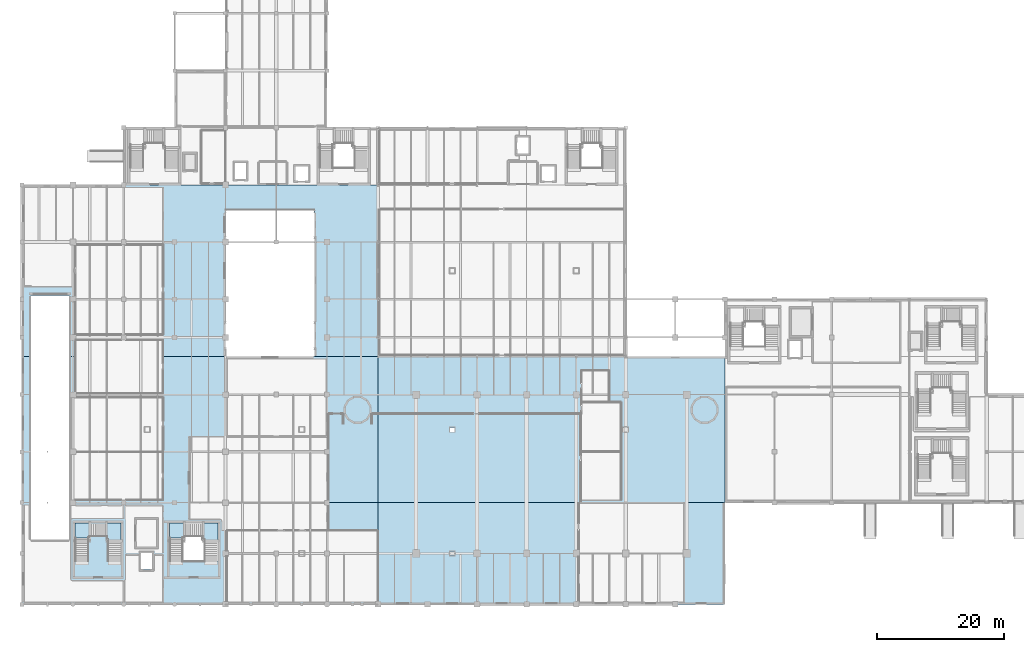
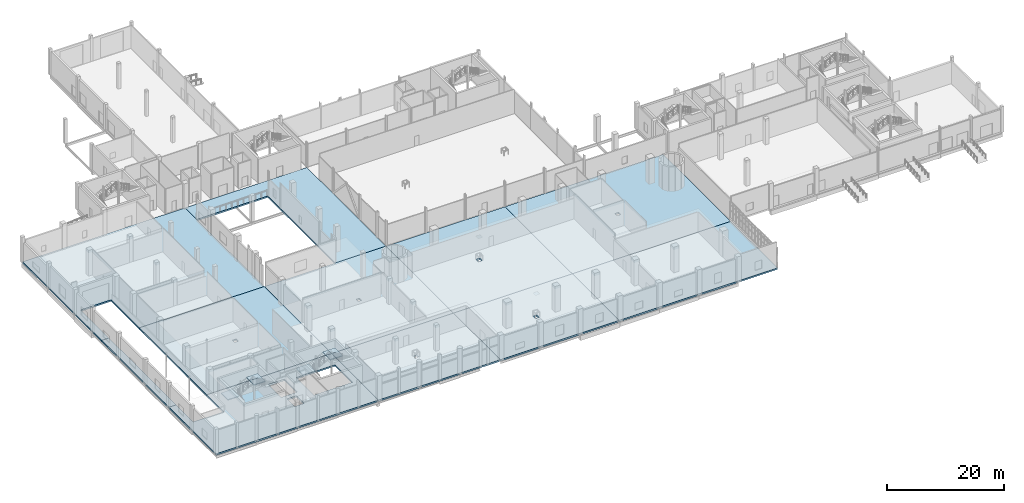
# One storey, part 30 of 57: 15 slabs, 2 elements without a shape of their own.
"""IFC4 building model written with IfcOpenShell, lengths in metres."""

import ifcopenshell
import ifcopenshell.guid

model = None  # the IFC model being written
_history = None  # IfcOwnerHistory: only IFC2X3 demands one
_inside = {}  # id of a spatial element -> (the spatial element, [elements in it])
_under = {}  # id of a project, library or spatial element -> (it, [spatial elements below it])
_declared = {}  # id of a project -> (the project, [libraries it declares])
_typed = {}  # id of a type object -> (the type object, [elements of that type])
_made_of = {}  # id of a material, layer set ... -> (it, [elements and type objects made of it])


def new_model(schema):
    """Start an empty IFC model of exactly this schema.

    Asked for "IFC4X3", IfcOpenShell would pick the latest addendum, in which some entities
    have other attributes; the version numbers below select the first issue.
    IFC2X3 requires an IfcOwnerHistory on every rooted entity: one is made here for all.
    """
    global model, _history
    if schema == "IFC4X3":
        model = ifcopenshell.file(schema_version=(4, 3, 0, 0))
    else:
        model = ifcopenshell.file(schema=schema)
    _inside.clear()
    _under.clear()
    _declared.clear()
    _typed.clear()
    _made_of.clear()
    _history = None
    if model.schema == "IFC2X3":
        org = make("IfcOrganization", Name="unknown")
        user = make(
            "IfcPersonAndOrganization",
            ThePerson=make("IfcPerson", FamilyName="unknown"),
            TheOrganization=org,
        )
        app = make(
            "IfcApplication",
            ApplicationDeveloper=org,
            Version="unknown",
            ApplicationFullName="unknown",
            ApplicationIdentifier="unknown",
        )
        _history = make(
            "IfcOwnerHistory",
            OwningUser=user,
            OwningApplication=app,
            ChangeAction="ADDED",
            CreationDate=0,
        )
    return model


def make(cls, **values):
    """One entity of the class cls with the attributes given. An attribute that is None is left unset."""
    return model.create_entity(
        cls, **{name: value for name, value in values.items() if value is not None}
    )


def rooted(cls, **values):
    """An entity with a GlobalId (a new one), such as an element, a storey or a relation."""
    return make(cls, GlobalId=ifcopenshell.guid.new(), OwnerHistory=_history, **values)


def si_unit(unit_type, name, prefix=None):
    """IfcSIUnit, for example si_unit("LENGTHUNIT", "METRE", prefix="MILLI")."""
    return make("IfcSIUnit", UnitType=unit_type, Prefix=prefix, Name=name)


def derived_unit(unit_type, elements):
    """IfcDerivedUnit: a product of units, each with its exponent."""
    return make(
        "IfcDerivedUnit",
        Elements=[
            make("IfcDerivedUnitElement", Unit=unit, Exponent=power)
            for unit, power in elements
        ],
        UnitType=unit_type,
    )


def assignment(units):
    """IfcUnitAssignment: the units of a project."""
    return None if units is None else make("IfcUnitAssignment", Units=units)


def point(xyz):
    """IfcCartesianPoint."""
    return None if xyz is None else make("IfcCartesianPoint", Coordinates=xyz)


def direction(xyz):
    """IfcDirection."""
    return None if xyz is None else make("IfcDirection", DirectionRatios=xyz)


def frame(location, z_axis=None, x_axis=None):
    """IfcAxis2Placement3D, a coordinate frame: its origin and axes. An axis left out is left unset."""
    return make(
        "IfcAxis2Placement3D",
        Location=point(location),
        Axis=direction(z_axis),
        RefDirection=direction(x_axis),
    )


def origin():
    """The frame at (0, 0, 0) with its axes left unset."""
    return frame((0.0, 0.0, 0.0))


def place(relative_to, where):
    """IfcLocalPlacement: puts the frame where relative to a parent placement (None: the world)."""
    return make(
        "IfcLocalPlacement", PlacementRelTo=relative_to, RelativePlacement=where
    )


def context(
    kind, dimensions, precision=None, world=None, true_north=None, identifier=None
):
    """IfcGeometricRepresentationContext, for example the 3D "Model" context."""
    return make(
        "IfcGeometricRepresentationContext",
        ContextIdentifier=identifier,
        ContextType=kind,
        CoordinateSpaceDimension=dimensions,
        Precision=precision,
        WorldCoordinateSystem=world,
        TrueNorth=true_north,
    )


def subcontext(parent, identifier, kind, view, scale=None):
    """IfcGeometricRepresentationSubContext, for example "Body" below "Model"."""
    return make(
        "IfcGeometricRepresentationSubContext",
        ContextIdentifier=identifier,
        ContextType=kind,
        ParentContext=parent,
        TargetScale=scale,
        TargetView=view,
    )


def project(units=None, contexts=None):
    """IfcProject with its units and contexts."""
    return rooted(
        "IfcProject",
        Name="project",
        RepresentationContexts=contexts,
        UnitsInContext=assignment(units),
    )


def spatial(cls, under=None, at=None, **own):
    """A site, building, storey or space (cls), placed at a placement, below another one or the project."""
    s = rooted(cls, ObjectPlacement=at, **own)
    if under is not None:
        _under.setdefault(under.id(), (under, []))[1].append(s)
    return s


def polyline(points):
    """IfcPolyline through the points."""
    return make("IfcPolyline", Points=[point(p) for p in points])


def outline(outer, holes=None, kind="AREA"):
    """IfcArbitraryClosedProfileDef: a profile drawn as a closed curve; with holes, ...WithVoids."""
    if holes is None:
        return make("IfcArbitraryClosedProfileDef", ProfileType=kind, OuterCurve=outer)
    return make(
        "IfcArbitraryProfileDefWithVoids",
        ProfileType=kind,
        OuterCurve=outer,
        InnerCurves=holes,
    )


def extrude(swept, where, along, depth):
    """IfcExtrudedAreaSolid: the profile swept, set in the frame where, extruded along a direction by depth."""
    return make(
        "IfcExtrudedAreaSolid",
        SweptArea=swept,
        Position=where,
        ExtrudedDirection=direction(along),
        Depth=depth,
    )


def shape(context_of_items, identifier, shape_type, items):
    """IfcShapeRepresentation: the items that make up one representation, for example the "Body"."""
    return make(
        "IfcShapeRepresentation",
        ContextOfItems=context_of_items,
        RepresentationIdentifier=identifier,
        RepresentationType=shape_type,
        Items=items,
    )


def material(Name=None, Category=None):
    """IfcMaterial."""
    return make("IfcMaterial", Name=Name, Category=Category)


def layer(
    of_material, thickness, ventilated=None, Name=None, Category=None, Priority=None
):
    """IfcMaterialLayer: one layer of a wall or slab, of a material (None: an air gap)."""
    return make(
        "IfcMaterialLayer",
        Material=of_material,
        LayerThickness=thickness,
        IsVentilated=ventilated,
        Name=Name,
        Category=Category,
        Priority=Priority,
    )


def layer_set(layers, Name=None):
    """IfcMaterialLayerSet."""
    return make("IfcMaterialLayerSet", MaterialLayers=layers, LayerSetName=Name)


def made_of(thing, what):
    """Note that an element or type object is made of a material, layer set ...; save() writes the relation."""
    if what is not None:
        _made_of.setdefault(what.id(), (what, []))[1].append(thing)
    return thing


def type_object(cls, material=None, **own):
    """A type object (cls), such as IfcWallType, which elements share."""
    return made_of(rooted(cls, **own), material)


def element(
    cls,
    number,
    at=None,
    inside=None,
    cuts=None,
    type_object=None,
    material=None,
    context=None,
    identifier="Body",
    shape_type=None,
    held_by="IfcProductDefinitionShape",
    body=None,
    shapes=None,
    **own,
):
    """One element of the class cls, such as IfcWall. Its Tag is "e" and its number.

    at: its placement. inside: the storey or other place that contains it. cuts: it is an
    opening in that element (IfcRelVoidsElement). A single representation is given by context,
    identifier, shape_type and body (its items); several are given by shapes. held_by: the class
    of the entity that holds the representations. save() writes the other relations.
    """
    e = rooted(cls, Tag="e%d" % number, ObjectPlacement=at, **own)
    if body is not None:
        shapes = [shape(context, identifier, shape_type, body)]
    if shapes is not None:
        e.Representation = make(held_by, Representations=shapes)
    if inside is not None:
        _inside.setdefault(inside.id(), (inside, []))[1].append(e)
    if cuts is not None:
        rooted(
            "IfcRelVoidsElement", RelatingBuildingElement=cuts, RelatedOpeningElement=e
        )
    if type_object is not None:
        _typed.setdefault(type_object.id(), (type_object, []))[1].append(e)
    return made_of(e, material)


def aggregate(whole, parts):
    """IfcRelAggregates: a whole, such as a stair, and the parts it consists of."""
    return rooted("IfcRelAggregates", RelatingObject=whole, RelatedObjects=parts)


def save(model, path):
    """Write the relations noted so far, then the file.

    IfcRelAggregates (storeys below a building ...), IfcRelContainedInSpatialStructure (elements
    in a storey), IfcRelDefinesByType, IfcRelAssociatesMaterial and IfcRelDeclares: one each for
    every whole, place, type object, material and project.
    """
    for whole, parts in _under.values():
        aggregate(whole, parts)
    for where, things in _inside.values():
        rooted(
            "IfcRelContainedInSpatialStructure",
            RelatedElements=things,
            RelatingStructure=where,
        )
    for kind, things in _typed.values():
        rooted("IfcRelDefinesByType", RelatedObjects=things, RelatingType=kind)
    for what, things in _made_of.values():
        rooted("IfcRelAssociatesMaterial", RelatedObjects=things, RelatingMaterial=what)
    for by, libraries in _declared.values():
        rooted("IfcRelDeclares", RelatingContext=by, RelatedDefinitions=libraries)
    model.write(path)


model = new_model("IFC4")

# Units and contexts
model_context = context("Model", 3, precision=1e-05, world=origin(), true_north=direction((0.0, 1.0)))
body_context = subcontext(model_context, "Body", "Model", "MODEL_VIEW")
ifc_project = project(units=[si_unit("LENGTHUNIT", "METRE"), si_unit("AREAUNIT", "SQUARE_METRE"), si_unit("VOLUMEUNIT", "CUBIC_METRE"), si_unit("PLANEANGLEUNIT", "RADIAN"), si_unit("MASSUNIT", "GRAM", prefix="KILO"), derived_unit("THERMALTRANSMITTANCEUNIT", [(si_unit("POWERUNIT", "WATT"), 1), (si_unit("LENGTHUNIT", "METRE"), -2), (si_unit("THERMODYNAMICTEMPERATUREUNIT", "KELVIN"), -1)])], contexts=[model_context])

# Site, building, storey
site_placement = place(None, origin())
site = spatial("IfcSite", under=ifc_project, at=site_placement, CompositionType="ELEMENT")
building_placement = place(site_placement, origin())
building = spatial("IfcBuilding", under=site, at=building_placement, Name="Nallur Shell Playhouse", CompositionType="ELEMENT")
storey_placement = place(building_placement, origin())
storey = spatial("IfcBuildingStorey", under=building, at=storey_placement, Name="L01", CompositionType="ELEMENT", Elevation=0.0)

# Stair, slabs
ifc_material = material(Name="Concrete M35", Category="concrete")
stair_type = type_object("IfcStairType", Name="ST-CORE-54", PredefinedType="QUARTER_TURN_STAIR", material=ifc_material)
stair_1_placement = place(storey_placement, origin())
stair_1 = element("IfcStair", 1, at=stair_1_placement, inside=storey, type_object=stair_type, Name="Core JC-1 exit stair ST-01-L01 (L01 to L02)", PredefinedType="QUARTER_TURN_STAIR")
ifc_layer_1 = layer(ifc_material, 0.199951171875)
ifc_layer_set_1 = layer_set([ifc_layer_1], Name="Concrete M35")
slab_type_1 = type_object("IfcSlabType", Name="SL-LANDING-200", PredefinedType="LANDING", material=ifc_layer_set_1)
slab_1_placement = place(storey_placement, frame((0.0, 0.0, 1.8056640625)))
slab_1 = element("IfcSlab", 2, at=slab_1_placement, type_object=slab_type_1, Name="ST-54 landing 1", PredefinedType="LANDING", context=body_context, shape_type="SweptSolid", body=[
    extrude(outline(polyline([(31.199951171875, 18.4599609375), (33.62744140625, 18.4599609375), (33.62744140625, 20.800048828125), (31.199951171875, 20.800048828125), (31.199951171875, 18.4599609375)])), origin(), (0.0, 0.0, 1.0), 0.199951171875),
])
slab_2_placement = place(storey_placement, frame((0.0, 0.0, 3.3486328125)))
slab_2 = element("IfcSlab", 3, at=slab_2_placement, type_object=slab_type_1, Name="ST-54 landing 2", PredefinedType="LANDING", context=body_context, shape_type="SweptSolid", body=[
    extrude(outline(polyline([(36.37255859375, 18.155029296875), (38.800048828125, 18.155029296875), (38.800048828125, 20.800048828125), (36.37255859375, 20.800048828125), (36.37255859375, 18.155029296875)])), origin(), (0.0, 0.0, 1.0), 0.199951171875),
])
aggregate(stair_1, [slab_1, slab_2])

stair_2_placement = place(storey_placement, origin())
stair_2 = element("IfcStair", 4, at=stair_2_placement, inside=storey, type_object=stair_type, Name="Core JC-7 exit stair ST-07-L01 (L01 to L02)", PredefinedType="QUARTER_TURN_STAIR")
slab_3_placement = place(storey_placement, frame((0.0, 0.0, 1.8056640625)))
slab_3 = element("IfcSlab", 5, at=slab_3_placement, type_object=slab_type_1, Name="ST-54 landing 1", PredefinedType="LANDING", context=body_context, shape_type="SweptSolid", body=[
    extrude(outline(polyline([(16.35009765625, 18.4599609375), (18.6025390625, 18.4599609375), (18.6025390625, 20.800048828125), (16.35009765625, 20.800048828125), (16.35009765625, 18.4599609375)])), origin(), (0.0, 0.0, 1.0), 0.199951171875),
])
slab_4_placement = place(storey_placement, frame((0.0, 0.0, 3.3486328125)))
slab_4 = element("IfcSlab", 6, at=slab_4_placement, type_object=slab_type_1, Name="ST-54 landing 2", PredefinedType="LANDING", context=body_context, shape_type="SweptSolid", body=[
    extrude(outline(polyline([(21.347412109375, 18.155029296875), (23.60009765625, 18.155029296875), (23.60009765625, 20.800048828125), (21.347412109375, 20.800048828125), (21.347412109375, 18.155029296875)])), origin(), (0.0, 0.0, 1.0), 0.199951171875),
])
aggregate(stair_2, [slab_3, slab_4])

# Slabs
ifc_layer_2 = layer(ifc_material, 0.320068359375)
ifc_layer_set_2 = layer_set([ifc_layer_2], Name="Concrete M35")
slab_type_2 = type_object("IfcSlabType", Name="SL-PLINTH-320", PredefinedType="FLOOR", material=ifc_layer_set_2)
slab_5_placement = place(storey_placement, frame((0.0, 0.0, -0.320068359375)))
element("IfcSlab", 7, at=slab_5_placement, inside=storey, type_object=slab_type_2, Name="L01 structural floor slab panel 01", PredefinedType="FLOOR", context=body_context, shape_type="SweptSolid", body=[
    extrude(outline(polyline([(8.0, 8.0), (8.0, 24.0), (9.39990234375, 24.0), (9.39990234375, 18.199951171875), (15.39990234375, 18.199951171875), (15.39990234375, 24.0), (40.0, 24.0), (40.0, 8.0), (8.0, 8.0)]), holes=[polyline([(26.699951171875, 13.5), (28.5, 13.5), (28.5, 16.10009765625), (26.699951171875, 16.10009765625), (26.699951171875, 13.5)]), polyline([(38.800048828125, 20.800048828125), (31.199951171875, 20.800048828125), (31.199951171875, 14.800048828125), (38.800048828125, 14.800048828125), (38.800048828125, 20.800048828125)]), polyline([(26.0, 21.39990234375), (26.0, 17.0), (29.199951171875, 17.0), (29.199951171875, 21.39990234375), (26.0, 21.39990234375)])]), origin(), (0.0, 0.0, 1.0), 0.320068359375),
])
slab_6_placement = place(storey_placement, frame((0.0, 0.0, -0.320068359375)))
element("IfcSlab", 8, at=slab_6_placement, inside=storey, type_object=slab_type_2, Name="L01 structural floor slab panel 02", PredefinedType="FLOOR", context=body_context, shape_type="SweptSolid", body=[
    extrude(outline(polyline([(8.0, 47.0), (9.39990234375, 47.0), (9.39990234375, 24.0), (8.0, 24.0), (8.0, 47.0)])), origin(), (0.0, 0.0, 1.0), 0.320068359375),
])
slab_7_placement = place(storey_placement, frame((0.0, 0.0, -0.320068359375)))
element("IfcSlab", 9, at=slab_7_placement, inside=storey, type_object=slab_type_2, Name="L01 structural floor slab panel 03", PredefinedType="FLOOR", context=body_context, shape_type="SweptSolid", body=[
    extrude(outline(polyline([(15.39990234375, 47.0), (40.0, 47.0), (40.0, 24.0), (15.39990234375, 24.0), (15.39990234375, 47.0)]), holes=[polyline([(27.35009765625, 35.14990234375), (28.050048828125, 35.14990234375), (28.050048828125, 35.85009765625), (27.35009765625, 35.85009765625), (27.35009765625, 35.14990234375)])]), origin(), (0.0, 0.0, 1.0), 0.320068359375),
])
slab_8_placement = place(storey_placement, frame((0.0, 0.0, -0.320068359375)))
element("IfcSlab", 10, at=slab_8_placement, inside=storey, type_object=slab_type_2, Name="L01 structural floor slab panel 04", PredefinedType="FLOOR", context=body_context, shape_type="SweptSolid", body=[
    extrude(outline(polyline([(8.0, 74.0), (24.0, 74.0), (40.0, 74.0), (40.0, 70.0), (40.0, 47.0), (15.39990234375, 47.0), (15.39990234375, 56.60009765625), (9.39990234375, 56.60009765625), (9.39990234375, 47.0), (8.0, 47.0), (8.0, 74.0)])), origin(), (0.0, 0.0, 1.0), 0.320068359375),
])
slab_9_placement = place(storey_placement, frame((0.0, 0.0, -0.320068359375)))
element("IfcSlab", 11, at=slab_9_placement, inside=storey, type_object=slab_type_2, Name="L01 structural floor slab panel 06", PredefinedType="FLOOR", context=body_context, shape_type="SweptSolid", body=[
    extrude(outline(polyline([(40.0, 8.0), (40.0, 24.0), (64.0, 24.0), (64.0, 8.0), (40.0, 8.0)]), holes=[polyline([(51.64990234375, 15.64990234375), (52.35009765625, 15.64990234375), (52.35009765625, 16.35009765625), (51.64990234375, 16.35009765625), (51.64990234375, 15.64990234375)])]), origin(), (0.0, 0.0, 1.0), 0.320068359375),
])
slab_10_placement = place(storey_placement, frame((0.0, 0.0, -0.320068359375)))
element("IfcSlab", 12, at=slab_10_placement, inside=storey, type_object=slab_type_2, Name="L01 structural floor slab panel 07", PredefinedType="FLOOR", context=body_context, shape_type="SweptSolid", body=[
    extrude(outline(polyline([(54.0, 47.0), (64.0, 47.0), (64.0, 24.0), (40.0, 24.0), (40.0, 47.0), (54.0, 47.0)]), holes=[polyline([(51.64990234375, 35.14990234375), (52.35009765625, 35.14990234375), (52.35009765625, 35.85009765625), (51.64990234375, 35.85009765625), (51.64990234375, 35.14990234375)])]), origin(), (0.0, 0.0, 1.0), 0.320068359375),
])
slab_11_placement = place(storey_placement, frame((0.0, 0.0, -0.320068359375)))
element("IfcSlab", 13, at=slab_11_placement, inside=storey, type_object=slab_type_2, Name="L01 structural floor slab panel 08", PredefinedType="FLOOR", context=body_context, shape_type="SweptSolid", body=[
    extrude(outline(polyline([(40.0, 70.0), (40.0, 74.0), (64.0, 74.0), (64.0, 47.0), (54.0, 47.0), (54.0, 70.0), (40.0, 70.0)])), origin(), (0.0, 0.0, 1.0), 0.320068359375),
])
slab_12_placement = place(storey_placement, frame((0.0, 0.0, -0.320068359375)))
element("IfcSlab", 14, at=slab_12_placement, inside=storey, type_object=slab_type_2, Name="L01 structural floor slab panel 10", PredefinedType="FLOOR", context=body_context, shape_type="SweptSolid", body=[
    extrude(outline(polyline([(64.0, 8.0), (64.0, 24.0), (87.39990234375, 24.0), (87.39990234375, 8.0), (64.0, 8.0)]), holes=[polyline([(75.35009765625, 15.64990234375), (76.050048828125, 15.64990234375), (76.050048828125, 16.35009765625), (75.35009765625, 16.35009765625), (75.35009765625, 15.64990234375)])]), origin(), (0.0, 0.0, 1.0), 0.320068359375),
])
slab_13_placement = place(storey_placement, frame((0.0, 0.0, -0.320068359375)))
element("IfcSlab", 15, at=slab_13_placement, inside=storey, type_object=slab_type_2, Name="L01 structural floor slab panel 11", PredefinedType="FLOOR", context=body_context, shape_type="SweptSolid", body=[
    extrude(outline(polyline([(64.0, 24.0), (64.0, 47.0), (87.39990234375, 47.0), (87.39990234375, 24.0), (64.0, 24.0)]), holes=[polyline([(75.35009765625, 35.14990234375), (76.050048828125, 35.14990234375), (76.050048828125, 35.85009765625), (75.35009765625, 35.85009765625), (75.35009765625, 35.14990234375)])]), origin(), (0.0, 0.0, 1.0), 0.320068359375),
])
slab_14_placement = place(storey_placement, frame((0.0, 0.0, -0.320068359375)))
element("IfcSlab", 16, at=slab_14_placement, inside=storey, type_object=slab_type_2, Name="L01 structural floor slab panel 14", PredefinedType="FLOOR", context=body_context, shape_type="SweptSolid", body=[
    extrude(outline(polyline([(118.60009765625, 8.0), (87.39990234375, 8.0), (87.39990234375, 24.0), (118.60009765625, 24.0), (118.60009765625, 8.0)])), origin(), (0.0, 0.0, 1.0), 0.320068359375),
])
slab_15_placement = place(storey_placement, frame((0.0, 0.0, -0.320068359375)))
element("IfcSlab", 17, at=slab_15_placement, inside=storey, type_object=slab_type_2, Name="L01 structural floor slab panel 15", PredefinedType="FLOOR", context=body_context, shape_type="SweptSolid", body=[
    extrude(outline(polyline([(118.60009765625, 47.0), (118.60009765625, 24.0), (87.39990234375, 24.0), (87.39990234375, 47.0), (103.0, 47.0), (118.60009765625, 47.0)]), holes=[polyline([(102.64990234375, 35.14990234375), (103.35009765625, 35.14990234375), (103.35009765625, 35.85009765625), (102.64990234375, 35.85009765625), (102.64990234375, 35.14990234375)])]), origin(), (0.0, 0.0, 1.0), 0.320068359375),
])

save(model, "model.ifc")
